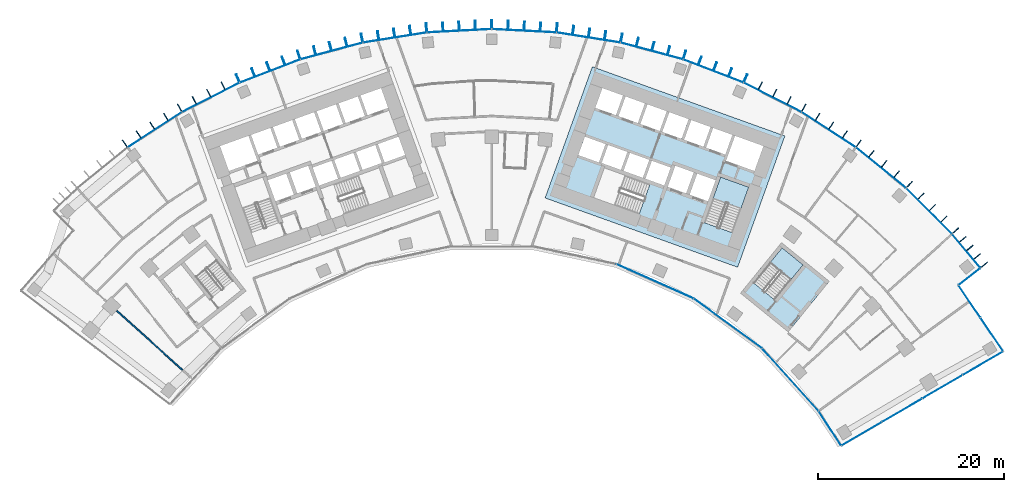
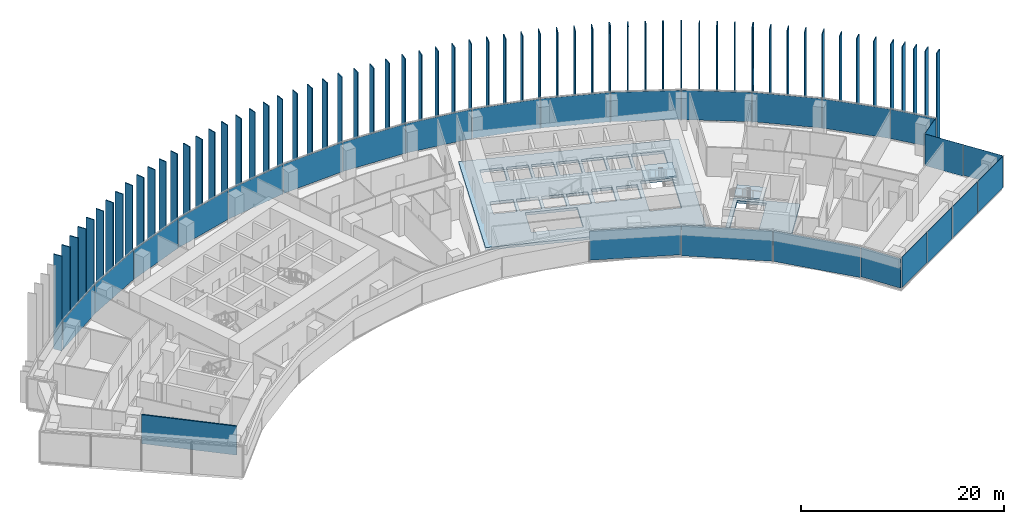
# One storey, part 15 of 23: 87 plates, 4 slabs, 1 wall, 7 elements without a shape of their own.
"""IFC4 building model written with IfcOpenShell, lengths in metres."""

from ifc_helpers import new_model, si_unit, direction, frame, frame_2d, origin, origin_2d, place, context, subcontext, project, spatial, polyline, rectangle, outline, extrude, material, layer, layer_set, type_object, element, aggregate, save


model = new_model("IFC4")

# Units and contexts
model_context = context("Model", 3, precision=1e-05, world=origin(), true_north=direction((0.0, 1.0)))
body_context = subcontext(model_context, "Body", "Model", "MODEL_VIEW")
ifc_project = project(units=[si_unit("LENGTHUNIT", "METRE"), si_unit("AREAUNIT", "SQUARE_METRE"), si_unit("VOLUMEUNIT", "CUBIC_METRE"), si_unit("PLANEANGLEUNIT", "RADIAN"), si_unit("MASSUNIT", "GRAM", prefix="KILO")], contexts=[model_context])

# Site, building, storey
site_placement = place(None, origin())
site = spatial("IfcSite", under=ifc_project, at=site_placement, CompositionType="ELEMENT")
building_placement = place(site_placement, origin())
building = spatial("IfcBuilding", under=site, at=building_placement, Name="Stone Belt Terrace Tower", CompositionType="ELEMENT")
storey_placement = place(building_placement, frame((0.0, 0.0, 98.39990234375)))
storey = spatial("IfcBuildingStorey", under=building, at=storey_placement, Name="L23", CompositionType="ELEMENT", Elevation=98.39990234375)

# Curtain wall, plates
ifc_material_1 = material(Name="Aluminium 6063-T6 anodised frame", Category="aluminium")
ifc_layer_1 = layer(ifc_material_1, 0.14990234375)
ifc_layer_set_1 = layer_set([ifc_layer_1], Name="CW-A unitised convex-face curtain wall")
curtain_wall_type_1 = type_object("IfcCurtainWallType", Name="CW-A unitised convex-face curtain wall", PredefinedType="NOTDEFINED", material=ifc_layer_set_1)
curtain_wall_1_placement = place(storey_placement, origin())
curtain_wall_1 = element("IfcCurtainWall", 1, at=curtain_wall_1_placement, inside=storey, type_object=curtain_wall_type_1, Name="CW-A convex face L23", PredefinedType="NOTDEFINED")
ifc_material_2 = material(Name="Clear double glazed unit")
ifc_layer_2 = layer(ifc_material_2, 0.031982421875)
ifc_layer_set_2 = layer_set([ifc_layer_2], Name="CW-A glass panel 32")
plate_type_1 = type_object("IfcPlateType", Name="CW-A glass panel 32", PredefinedType="CURTAIN_PANEL", material=ifc_layer_set_2)
plate_1_placement = place(storey_placement, frame((50.993896484375, 42.73583984375, 0.14013671875), z_axis=(0.0, 0.0, 1.0), x_axis=(-0.642509184121, 0.766277983711, 0.0)))
plate_1 = element("IfcPlate", 2, at=plate_1_placement, type_object=plate_type_1, Name="CW-A panel 1.1", PredefinedType="CURTAIN_PANEL", context=body_context, shape_type="SweptSolid", body=[
    extrude(rectangle(XDim=4.662841796875, YDim=0.031982421875, at=origin_2d()), origin(), (0.0, 0.0, 1.0), 3.52001953125),
])
plate_2_placement = place(storey_placement, frame((47.01123046875, 47.01123046875, 0.14013671875), z_axis=(0.0, 0.0, 1.0), x_axis=(-0.707106781187, 0.707106781187, 0.0)))
plate_2 = element("IfcPlate", 3, at=plate_2_placement, type_object=plate_type_1, Name="CW-A panel 2.1", PredefinedType="CURTAIN_PANEL", context=body_context, shape_type="SweptSolid", body=[
    extrude(rectangle(XDim=6.90087890625, YDim=0.031982421875, at=origin_2d()), origin(), (0.0, 0.0, 1.0), 3.52001953125),
])
plate_3_placement = place(storey_placement, frame((41.839599609375, 51.667724609375, 0.14013671875), z_axis=(0.0, 0.0, 1.0), x_axis=(-0.777145961457, 0.62932039105, 0.0)))
plate_3 = element("IfcPlate", 4, at=plate_3_placement, type_object=plate_type_1, Name="CW-A panel 3.1", PredefinedType="CURTAIN_PANEL", context=body_context, shape_type="SweptSolid", body=[
    extrude(rectangle(XDim=6.90087890625, YDim=0.031982421875, at=origin_2d()), origin(), (0.0, 0.0, 1.0), 3.52001953125),
])
plate_4_placement = place(storey_placement, frame((36.209716796875, 55.758056640625, 0.14013671875), z_axis=(0.0, 0.0, 1.0), x_axis=(-0.838670567945, 0.544639035015, 0.0)))
plate_4 = element("IfcPlate", 5, at=plate_4_placement, type_object=plate_type_1, Name="CW-A panel 4.1", PredefinedType="CURTAIN_PANEL", context=body_context, shape_type="SweptSolid", body=[
    extrude(rectangle(XDim=6.90087890625, YDim=0.031982421875, at=origin_2d()), origin(), (0.0, 0.0, 1.0), 3.52001953125),
])
plate_5_placement = place(storey_placement, frame((30.18310546875, 59.237548828125, 0.14013671875), z_axis=(0.0, 0.0, 1.0), x_axis=(-0.891006524188, 0.45399049974, 0.0)))
plate_5 = element("IfcPlate", 6, at=plate_5_placement, type_object=plate_type_1, Name="CW-A panel 5.1", PredefinedType="CURTAIN_PANEL", context=body_context, shape_type="SweptSolid", body=[
    extrude(rectangle(XDim=6.90087890625, YDim=0.031982421875, at=origin_2d()), origin(), (0.0, 0.0, 1.0), 3.52001953125),
])
plate_6_placement = place(storey_placement, frame((23.82568359375, 62.068115234375, 0.14013671875), z_axis=(0.0, 0.0, 1.0), x_axis=(-0.933580426497, 0.358367949545, 0.0)))
plate_6 = element("IfcPlate", 7, at=plate_6_placement, type_object=plate_type_1, Name="CW-A panel 6.1", PredefinedType="CURTAIN_PANEL", context=body_context, shape_type="SweptSolid", body=[
    extrude(rectangle(XDim=6.90087890625, YDim=0.031982421875, at=origin_2d()), origin(), (0.0, 0.0, 1.0), 3.52001953125),
])
plate_7_placement = place(storey_placement, frame((17.207275390625, 64.218505859375, 0.14013671875), z_axis=(0.0, 0.0, 1.0), x_axis=(-0.965925826289, 0.258819045103, 0.0)))
plate_7 = element("IfcPlate", 8, at=plate_7_placement, type_object=plate_type_1, Name="CW-A panel 7.1", PredefinedType="CURTAIN_PANEL", context=body_context, shape_type="SweptSolid", body=[
    extrude(rectangle(XDim=6.90087890625, YDim=0.031982421875, at=origin_2d()), origin(), (0.0, 0.0, 1.0), 3.52001953125),
])
plate_8_placement = place(storey_placement, frame((10.400390625, 65.665283203125, 0.14013671875), z_axis=(0.0, 0.0, 1.0), x_axis=(-0.987688340595, 0.15643446504, 0.0)))
plate_8 = element("IfcPlate", 9, at=plate_8_placement, type_object=plate_type_1, Name="CW-A panel 8.1", PredefinedType="CURTAIN_PANEL", context=body_context, shape_type="SweptSolid", body=[
    extrude(rectangle(XDim=6.90087890625, YDim=0.031982421875, at=origin_2d()), origin(), (0.0, 0.0, 1.0), 3.52001953125),
])
plate_9_placement = place(storey_placement, frame((3.4794921875, 66.392822265625, 0.14013671875), z_axis=(0.0, 0.0, 1.0), x_axis=(-0.998629534755, 0.052335956243, 0.0)))
plate_9 = element("IfcPlate", 10, at=plate_9_placement, type_object=plate_type_1, Name="CW-A panel 9.1", PredefinedType="CURTAIN_PANEL", context=body_context, shape_type="SweptSolid", body=[
    extrude(rectangle(XDim=6.90087890625, YDim=0.031982421875, at=origin_2d()), origin(), (0.0, 0.0, 1.0), 3.52001953125),
])
plate_10_placement = place(storey_placement, frame((-3.4794921875, 66.392822265625, 0.14013671875), z_axis=(0.0, 0.0, 1.0), x_axis=(-0.998629534755, -0.052335956243, 0.0)))
plate_10 = element("IfcPlate", 11, at=plate_10_placement, type_object=plate_type_1, Name="CW-A panel 10.1", PredefinedType="CURTAIN_PANEL", context=body_context, shape_type="SweptSolid", body=[
    extrude(rectangle(XDim=6.90087890625, YDim=0.031982421875, at=origin_2d()), origin(), (0.0, 0.0, 1.0), 3.52001953125),
])
plate_11_placement = place(storey_placement, frame((-10.400390625, 65.665283203125, 0.14013671875), z_axis=(0.0, 0.0, 1.0), x_axis=(-0.987688340595, -0.15643446504, 0.0)))
plate_11 = element("IfcPlate", 12, at=plate_11_placement, type_object=plate_type_1, Name="CW-A panel 11.1", PredefinedType="CURTAIN_PANEL", context=body_context, shape_type="SweptSolid", body=[
    extrude(rectangle(XDim=6.90087890625, YDim=0.031982421875, at=origin_2d()), origin(), (0.0, 0.0, 1.0), 3.52001953125),
])
plate_12_placement = place(storey_placement, frame((-17.207275390625, 64.218505859375, 0.14013671875), z_axis=(0.0, 0.0, 1.0), x_axis=(-0.965925826289, -0.258819045103, 0.0)))
plate_12 = element("IfcPlate", 13, at=plate_12_placement, type_object=plate_type_1, Name="CW-A panel 12.1", PredefinedType="CURTAIN_PANEL", context=body_context, shape_type="SweptSolid", body=[
    extrude(rectangle(XDim=6.90087890625, YDim=0.031982421875, at=origin_2d()), origin(), (0.0, 0.0, 1.0), 3.52001953125),
])
plate_13_placement = place(storey_placement, frame((-23.82568359375, 62.068115234375, 0.14013671875), z_axis=(0.0, 0.0, 1.0), x_axis=(-0.933580426497, -0.358367949545, 0.0)))
plate_13 = element("IfcPlate", 14, at=plate_13_placement, type_object=plate_type_1, Name="CW-A panel 13.1", PredefinedType="CURTAIN_PANEL", context=body_context, shape_type="SweptSolid", body=[
    extrude(rectangle(XDim=6.90087890625, YDim=0.031982421875, at=origin_2d()), origin(), (0.0, 0.0, 1.0), 3.52001953125),
])
plate_14_placement = place(storey_placement, frame((-30.18310546875, 59.237548828125, 0.14013671875), z_axis=(0.0, 0.0, 1.0), x_axis=(-0.891006524188, -0.45399049974, 0.0)))
plate_14 = element("IfcPlate", 15, at=plate_14_placement, type_object=plate_type_1, Name="CW-A panel 14.1", PredefinedType="CURTAIN_PANEL", context=body_context, shape_type="SweptSolid", body=[
    extrude(rectangle(XDim=6.90087890625, YDim=0.031982421875, at=origin_2d()), origin(), (0.0, 0.0, 1.0), 3.52001953125),
])
plate_15_placement = place(storey_placement, frame((-36.209716796875, 55.758056640625, 0.14013671875), z_axis=(0.0, 0.0, 1.0), x_axis=(-0.838670567945, -0.544639035015, 0.0)))
plate_15 = element("IfcPlate", 16, at=plate_15_placement, type_object=plate_type_1, Name="CW-A panel 15.1", PredefinedType="CURTAIN_PANEL", context=body_context, shape_type="SweptSolid", body=[
    extrude(rectangle(XDim=6.90087890625, YDim=0.031982421875, at=origin_2d()), origin(), (0.0, 0.0, 1.0), 3.52001953125),
])
aggregate(curtain_wall_1, [plate_1, plate_2, plate_3, plate_4, plate_5, plate_6, plate_7, plate_8, plate_9, plate_10, plate_11, plate_12, plate_13, plate_14, plate_15])

ifc_layer_3 = layer(ifc_material_1, 0.14990234375)
ifc_layer_set_3 = layer_set([ifc_layer_3], Name="CW-B unitised concave-face curtain wall")
curtain_wall_type_2 = type_object("IfcCurtainWallType", Name="CW-B unitised concave-face curtain wall", PredefinedType="NOTDEFINED", material=ifc_layer_set_3)
curtain_wall_2_placement = place(storey_placement, origin())
curtain_wall_2 = element("IfcCurtainWall", 17, at=curtain_wall_2_placement, inside=storey, type_object=curtain_wall_type_2, Name="CW-B concave face L23", PredefinedType="NOTDEFINED")
ifc_layer_4 = layer(ifc_material_2, 0.030029296875)
ifc_layer_set_4 = layer_set([ifc_layer_4], Name="CW-B glass panel 30")
plate_type_2 = type_object("IfcPlateType", Name="CW-B glass panel 30", PredefinedType="CURTAIN_PANEL", material=ifc_layer_set_4)
plate_16_placement = place(storey_placement, frame((17.565673828125, 39.453125, 0.1201171875), z_axis=(0.0, 0.0, 1.0), x_axis=(0.913545457643, -0.406736643076, 0.0)))
plate_16 = element("IfcPlate", 18, at=plate_16_placement, type_object=plate_type_2, Name="CW-B panel 7.1", PredefinedType="CURTAIN_PANEL", context=body_context, shape_type="SweptSolid", body=[
    extrude(rectangle(XDim=9.0126953125, YDim=0.030029296875, at=origin_2d()), origin(), (0.0, 0.0, 1.0), 3.56005859375),
])
plate_17_placement = place(storey_placement, frame((25.384521484375, 34.938720703125, 0.0), z_axis=(0.0, 0.0, 1.0), x_axis=(0.809016994375, -0.587785252292, 0.0)))
plate_17 = element("IfcPlate", 19, at=plate_17_placement, type_object=plate_type_2, Name="CW-B panel 8.1", PredefinedType="CURTAIN_PANEL", context=body_context, shape_type="SweptSolid", body=[
    extrude(rectangle(XDim=9.0126953125, YDim=0.030029296875, at=origin_2d()), origin(), (0.0, 0.0, 1.0), 3.679931640625),
])
plate_18_placement = place(storey_placement, frame((32.09521484375, 28.89599609375, 0.0), z_axis=(0.0, 0.0, 1.0), x_axis=(0.669130606359, -0.743144825477, 0.0)))
plate_18 = element("IfcPlate", 20, at=plate_18_placement, type_object=plate_type_2, Name="CW-B panel 9.1", PredefinedType="CURTAIN_PANEL", context=body_context, shape_type="SweptSolid", body=[
    extrude(rectangle(XDim=9.016845703125, YDim=0.030029296875, at=origin_2d()), origin(), (0.0, 0.0, 1.0), 3.679931640625),
])
plate_19_placement = place(storey_placement, frame((36.3408203125, 23.66943359375, 0.1201171875), z_axis=(0.0, 0.0, 1.0), x_axis=(0.546131502436, -0.837699458068, 0.0)))
plate_19 = element("IfcPlate", 21, at=plate_19_placement, type_object=plate_type_2, Name="CW-B panel 10.1", PredefinedType="CURTAIN_PANEL", context=body_context, shape_type="SweptSolid", body=[
    extrude(rectangle(XDim=4.363525390625, YDim=0.030029296875, at=origin_2d()), origin(), (0.0, 0.0, 1.0), 3.56005859375),
])
aggregate(curtain_wall_2, [plate_16, plate_17, plate_18, plate_19])

ifc_layer_5 = layer(ifc_material_1, 0.14990234375)
ifc_layer_set_5 = layer_set([ifc_layer_5], Name="CW-C stick curtain wall, horn ends and notches")
curtain_wall_type_3 = type_object("IfcCurtainWallType", Name="CW-C stick curtain wall, horn ends and notches", PredefinedType="NOTDEFINED", material=ifc_layer_set_5)
curtain_wall_3_placement = place(storey_placement, origin())
curtain_wall_3 = element("IfcCurtainWall", 22, at=curtain_wall_3_placement, inside=storey, type_object=curtain_wall_type_3, Name="CW-C end face L23", PredefinedType="NOTDEFINED")
ifc_layer_6 = layer(ifc_material_2, 0.028076171875)
ifc_layer_set_6 = layer_set([ifc_layer_6], Name="CW-C glass panel 28")
plate_type_3 = type_object("IfcPlateType", Name="CW-C glass panel 28", PredefinedType="CURTAIN_PANEL", material=ifc_layer_set_6)
plate_20_placement = place(storey_placement, frame((39.78076171875, 23.06982421875, 0.1201171875), z_axis=(0.0, 0.0, 1.0), x_axis=(0.864239322284, 0.503080901861, 0.0)))
plate_20 = element("IfcPlate", 23, at=plate_20_placement, type_object=plate_type_3, Name="CW-C panel 1.1", PredefinedType="CURTAIN_PANEL", context=body_context, shape_type="SweptSolid", body=[
    extrude(rectangle(XDim=4.9677734375, YDim=0.028076171875, at=origin_2d()), origin(), (0.0, 0.0, 1.0), 3.679931640625),
])
plate_21_placement = place(storey_placement, frame((44.114013671875, 25.59228515625, 0.0), z_axis=(0.0, 0.0, 1.0), x_axis=(0.864239322284, 0.503080901861, 0.0)))
plate_21 = element("IfcPlate", 24, at=plate_21_placement, type_object=plate_type_3, Name="CW-C panel 2.1", PredefinedType="CURTAIN_PANEL", context=body_context, shape_type="SweptSolid", body=[
    extrude(rectangle(XDim=4.93994140625, YDim=0.028076171875, at=origin_2d()), origin(), (0.0, 0.0, 1.0), 3.800048828125),
])
plate_22_placement = place(storey_placement, frame((48.43505859375, 28.107666015625, 0.0), z_axis=(0.0, 0.0, 1.0), x_axis=(0.864239322284, 0.503080901861, 0.0)))
plate_22 = element("IfcPlate", 25, at=plate_22_placement, type_object=plate_type_3, Name="CW-C panel 3.1", PredefinedType="CURTAIN_PANEL", context=body_context, shape_type="SweptSolid", body=[
    extrude(rectangle(XDim=4.93994140625, YDim=0.028076171875, at=origin_2d()), origin(), (0.0, 0.0, 1.0), 3.800048828125),
])
plate_23_placement = place(storey_placement, frame((52.771484375, 30.6318359375, 0.0), z_axis=(0.0, 0.0, 1.0), x_axis=(0.864239322284, 0.503080901861, 0.0)))
plate_23 = element("IfcPlate", 26, at=plate_23_placement, type_object=plate_type_3, Name="CW-C panel 4.1", PredefinedType="CURTAIN_PANEL", context=body_context, shape_type="SweptSolid", body=[
    extrude(rectangle(XDim=4.974853515625, YDim=0.028076171875, at=origin_2d()), origin(), (0.0, 0.0, 1.0), 3.800048828125),
])
aggregate(curtain_wall_3, [plate_20, plate_21, plate_22, plate_23])

curtain_wall_4_placement = place(storey_placement, origin())
curtain_wall_4 = element("IfcCurtainWall", 27, at=curtain_wall_4_placement, inside=storey, type_object=curtain_wall_type_3, Name="CW-C notch face L23", PredefinedType="NOTDEFINED")
plate_24_placement = place(storey_placement, frame((53.748046875, 33.751220703125, 0.1201171875), z_axis=(0.0, 0.0, 1.0), x_axis=(-0.560367245622, 0.828244257471, 0.0)))
plate_24 = element("IfcPlate", 28, at=plate_24_placement, type_object=plate_type_3, Name="CW-C panel 1.1", PredefinedType="CURTAIN_PANEL", context=body_context, shape_type="SweptSolid", body=[
    extrude(rectangle(XDim=4.268798828125, YDim=0.028076171875, at=origin_2d()), origin(), (0.0, 0.0, 1.0), 3.679931640625),
])
plate_25_placement = place(storey_placement, frame((51.364013671875, 37.275146484375, 0.0), z_axis=(0.0, 0.0, 1.0), x_axis=(-0.560367245622, 0.828244257471, 0.0)))
plate_25 = element("IfcPlate", 29, at=plate_25_placement, type_object=plate_type_3, Name="CW-C panel 2.1", PredefinedType="CURTAIN_PANEL", context=body_context, shape_type="SweptSolid", body=[
    extrude(rectangle(XDim=4.12060546875, YDim=0.028076171875, at=origin_2d()), origin(), (0.0, 0.0, 1.0), 3.800048828125),
])
aggregate(curtain_wall_4, [plate_24, plate_25])

# Curtain wall, plate
curtain_wall_5_placement = place(storey_placement, origin())
curtain_wall_5 = element("IfcCurtainWall", 30, at=curtain_wall_5_placement, inside=storey, type_object=curtain_wall_type_3, Name="CW-C notch face L23", PredefinedType="NOTDEFINED")
plate_26_placement = place(storey_placement, frame((51.353515625, 39.966552734375, 0.1201171875), z_axis=(0.0, 0.0, 1.0), x_axis=(0.788458012337, 0.615088581248, 0.0)))
plate_26 = element("IfcPlate", 31, at=plate_26_placement, type_object=plate_type_3, Name="CW-C panel 1.1", PredefinedType="CURTAIN_PANEL", context=body_context, shape_type="SweptSolid", body=[
    extrude(rectangle(XDim=2.859619140625, YDim=0.028076171875, at=origin_2d()), origin(), (0.0, 0.0, 1.0), 3.679931640625),
])
aggregate(curtain_wall_5, [plate_26])

# Slabs
ifc_material_3 = material(Name="Concrete B40", Category="concrete")
ifc_layer_7 = layer(ifc_material_3, 0.320068359375)
ifc_layer_set_7 = layer_set([ifc_layer_7], Name="Core floor slab 320")
slab_type_1 = type_object("IfcSlabType", Name="Core floor slab 320", PredefinedType="FLOOR", material=ifc_layer_set_7)
slab_1_placement = place(storey_placement, frame((0.0, 0.0, -0.31982421875)))
element("IfcSlab", 32, at=slab_1_placement, inside=storey, type_object=slab_type_1, Name="Core B floor L23", PredefinedType="FLOOR", context=body_context, shape_type="SweptSolid", body=[
    extrude(outline(polyline([(26.43505859375, 40.968994140625), (31.513916015625, 55.0830078125), (10.81396484375, 62.531982421875), (5.735107421875, 48.4189453125), (26.43505859375, 40.968994140625)]), holes=[polyline([(12.10595703125, 51.652099609375), (16.998046875, 49.89208984375), (15.846923828125, 46.69189453125), (10.955078125, 48.452880859375), (12.10595703125, 51.652099609375)]), polyline([(19.239990234375, 51.68896484375), (18.5458984375, 49.760009765625), (16.52294921875, 50.488037109375), (17.217041015625, 52.4169921875), (19.239990234375, 51.68896484375)]), polyline([(16.239990234375, 50.589111328125), (14.169921875, 51.333984375), (14.864013671875, 53.262939453125), (16.93408203125, 52.51806640625), (16.239990234375, 50.589111328125)]), polyline([(14.58203125, 53.364990234375), (13.887939453125, 51.43603515625), (11.864990234375, 52.1640625), (11.847900390625, 52.116943359375), (11.801025390625, 52.134033203125), (12.511962890625, 54.110107421875), (14.58203125, 53.364990234375)]), polyline([(9.30810546875, 53.031005859375), (10.01904296875, 55.007080078125), (12.22998046875, 54.2109375), (11.51904296875, 52.235107421875), (9.30810546875, 53.031005859375)]), polyline([(16.743896484375, 58.485107421875), (18.81396484375, 57.739990234375), (18.052001953125, 55.623046875), (15.98193359375, 56.367919921875), (16.743896484375, 58.485107421875)]), polyline([(14.39111328125, 59.33203125), (16.4609375, 58.5869140625), (15.699951171875, 56.469970703125), (13.6298828125, 57.215087890625), (14.39111328125, 59.33203125)]), polyline([(11.89794921875, 60.22900390625), (14.10888671875, 59.43408203125), (13.346923828125, 57.31591796875), (11.135986328125, 58.112060546875), (11.89794921875, 60.22900390625)]), polyline([(25.85888671875, 44.68408203125), (22.847900390625, 45.76806640625), (24.60791015625, 50.659912109375), (27.618896484375, 49.575927734375), (25.85888671875, 44.68408203125)]), polyline([(21.27392578125, 48.778076171875), (22.0869140625, 51.035888671875), (24.06298828125, 50.324951171875), (23.25, 48.06689453125), (21.27392578125, 48.778076171875)]), polyline([(18.922119140625, 49.6240234375), (19.735107421875, 51.883056640625), (21.7109375, 51.1708984375), (20.89794921875, 48.9130859375), (18.922119140625, 49.6240234375)]), polyline([(29.2109375, 53.9990234375), (28.24609375, 51.31689453125), (25.18798828125, 52.41796875), (26.153076171875, 55.09912109375), (29.2109375, 53.9990234375)]), polyline([(23.801025390625, 55.946044921875), (25.87109375, 55.200927734375), (25.10888671875, 53.083984375), (23.0390625, 53.8291015625), (23.801025390625, 55.946044921875)]), polyline([(21.447998046875, 56.7919921875), (23.51806640625, 56.047119140625), (22.756103515625, 53.929931640625), (20.68603515625, 54.675048828125), (21.447998046875, 56.7919921875)]), polyline([(19.095947265625, 57.638916015625), (21.166015625, 56.89404296875), (20.404052734375, 54.777099609375), (18.333984375, 55.52197265625), (19.095947265625, 57.638916015625)])]), origin(), (0.0, 0.0, 1.0), 0.31982421875),
])
slab_2_placement = place(storey_placement, frame((0.0, 0.0, -0.31982421875)))
element("IfcSlab", 33, at=slab_2_placement, inside=storey, type_object=slab_type_1, Name="Exit stair ST3B floor L23", PredefinedType="FLOOR", context=body_context, shape_type="SweptSolid", body=[
    extrude(outline(polyline([(26.741943359375, 38.18408203125), (31.866943359375, 34.02392578125), (36.278076171875, 39.458984375), (31.154052734375, 43.618896484375), (26.741943359375, 38.18408203125)]), holes=[polyline([(30.407958984375, 37.462890625), (28.156005859375, 39.291015625), (31.2119140625, 43.055908203125), (33.464111328125, 41.22802734375), (30.407958984375, 37.462890625)])]), origin(), (0.0, 0.0, 1.0), 0.31982421875),
])

# Stair, slab
stair_type = type_object("IfcStairType", Name="Exit stair 1500", PredefinedType="HALF_TURN_STAIR", material=ifc_material_3)
stair_1_placement = place(storey_placement, origin())
stair_1 = element("IfcStair", 34, at=stair_1_placement, inside=storey, type_object=stair_type, Name="L23 Exit stair 1 core B", PredefinedType="HALF_TURN_STAIR")
ifc_layer_8 = layer(ifc_material_3, 0.199951171875)
ifc_layer_set_8 = layer_set([ifc_layer_8], Name="Stair landing 200")
slab_type_2 = type_object("IfcSlabType", Name="Stair landing 200", PredefinedType="LANDING", material=ifc_layer_set_8)
slab_3_placement = place(storey_placement, frame((0.0, 0.0, 1.7001953125)))
slab_3 = element("IfcSlab", 35, at=slab_3_placement, type_object=slab_type_2, Name="ST1B landing 1", PredefinedType="LANDING", context=body_context, shape_type="SweptSolid", body=[
    extrude(outline(polyline([(26.806396484375, 47.3173828125), (27.619384765625, 49.576171875), (24.6083984375, 50.659912109375), (23.79541015625, 48.40087890625), (26.806396484375, 47.3173828125)])), origin(), (0.0, 0.0, 1.0), 0.199951171875),
])
aggregate(stair_1, [slab_3])

stair_2_placement = place(storey_placement, origin())
stair_2 = element("IfcStair", 36, at=stair_2_placement, inside=storey, type_object=stair_type, Name="L23 Exit stair 3B", PredefinedType="HALF_TURN_STAIR")
slab_4_placement = place(storey_placement, frame((0.0, 0.0, 1.7001953125)))
slab_4 = element("IfcSlab", 37, at=slab_4_placement, type_object=slab_type_2, Name="ST3B landing 1", PredefinedType="LANDING", context=body_context, shape_type="SweptSolid", body=[
    extrude(outline(polyline([(32.17138671875, 39.635986328125), (33.4638671875, 41.228271484375), (31.21240234375, 43.055908203125), (29.919921875, 41.463623046875), (32.17138671875, 39.635986328125)])), origin(), (0.0, 0.0, 1.0), 0.199951171875),
])
aggregate(stair_2, [slab_4])

# Plates
ifc_material_4 = material(Name="Terracotta coloured glazed ceramic", Category="masonry")
ifc_layer_9 = layer(ifc_material_4, 0.10009765625)
ifc_layer_set_9 = layer_set([ifc_layer_9], Name="Terracotta fin 100 x 900")
plate_type_4 = type_object("IfcPlateType", Name="Terracotta fin 100 x 900", PredefinedType="SHEET", material=ifc_layer_set_9)
for number, where, z_axis, x_axis, name in (
    (38, (52.942138671875, 41.229248046875, 0.000244140625), (0.0, 0.0, 1.0), (0.766277983711, 0.642509184121, 0.0), "FIN L23 1.1"),
    (39, (52.17578125, 42.143310546875, 0.000244140625), (0.0, 0.0, 1.0), (0.766277983711, 0.642509184121, 0.0), "FIN L23 1.2"),
    (40, (51.409423828125, 43.057373046875, 0.000244140625), (0.0, 0.0, 1.0), (0.766277983711, 0.642509184121, 0.0), "FIN L23 1.3"),
    (41, (50.64306640625, 43.97119140625, 0.000244140625), (0.0, 0.0, 1.0), (0.766277983711, 0.642509184121, 0.0), "FIN L23 1.4"),
    (42, (49.861572265625, 44.902587890625, 0.000244140625), (0.0, 0.0, 1.0), (0.737400080522, 0.675456231925, 0.0), "FIN L23 2.1"),
    (43, (48.614013671875, 46.15087890625, 0.000244140625), (0.0, 0.0, 1.0), (0.707106781187, 0.707106781187, 0.0), "FIN L23 2.2"),
    (44, (47.382080078125, 47.382568359375, 0.000244140625), (0.0, 0.0, 1.0), (0.707106781187, 0.707106781187, 0.0), "FIN L23 2.3"),
    (45, (46.150390625, 48.614501953125, 0.000244140625), (0.0, 0.0, 1.0), (0.707106781187, 0.707106781187, 0.0), "FIN L23 2.4"),
    (46, (44.898681640625, 49.864990234375, 0.000244140625), (0.0, 0.0, 1.0), (0.669130606359, 0.743144825477, 0.0), "FIN L23 3.1"),
    (47, (43.52392578125, 50.979248046875, 0.000244140625), (0.0, 0.0, 1.0), (0.62932039105, 0.777145961457, 0.0), "FIN L23 3.2"),
    (48, (42.170166015625, 52.07568359375, 0.000244140625), (0.0, 0.0, 1.0), (0.62932039105, 0.777145961457, 0.0), "FIN L23 3.3"),
    (49, (40.816162109375, 53.172119140625, 0.000244140625), (0.0, 0.0, 1.0), (0.62932039105, 0.777145961457, 0.0), "FIN L23 3.4"),
    (50, (39.4404296875, 54.28515625, 0.000244140625), (0.0, 0.0, 1.0), (0.587785252292, 0.809016994375, 0.0), "FIN L23 4.1"),
    (51, (37.956787109375, 55.24951171875, 0.000244140625), (0.0, 0.0, 1.0), (0.544639035015, 0.838670567945, 0.0), "FIN L23 4.2"),
    (52, (36.49560546875, 56.1982421875, 0.000244140625), (0.0, 0.0, 1.0), (0.544639035015, 0.838670567945, 0.0), "FIN L23 4.3"),
    (53, (35.03466796875, 57.147216796875, 0.000244140625), (0.0, 0.0, 1.0), (0.544639035015, 0.838670567945, 0.0), "FIN L23 4.4"),
    (54, (33.550048828125, 58.1103515625, 0.000244140625), (0.0, 0.0, 1.0), (0.5, 0.866025403784, 0.0), "FIN L23 5.1"),
    (55, (31.9736328125, 58.914306640625, 0.000244140625), (0.0, 0.0, 1.0), (0.45399049974, 0.891006524188, 0.0), "FIN L23 5.2"),
    (56, (30.42138671875, 59.705322265625, 0.000244140625), (0.0, 0.0, 1.0), (0.45399049974, 0.891006524188, 0.0), "FIN L23 5.3"),
    (57, (28.869140625, 60.496337890625, 0.000244140625), (0.0, 0.0, 1.0), (0.45399049974, 0.891006524188, 0.0), "FIN L23 5.4"),
    (58, (27.2919921875, 61.299072265625, 0.000244140625), (0.0, 0.0, 1.0), (0.406736643076, 0.913545457643, 0.0), "FIN L23 6.1"),
    (59, (25.64013671875, 61.933837890625, 0.000244140625), (0.0, 0.0, 1.0), (0.358367949545, 0.933580426497, 0.0), "FIN L23 6.2"),
    (60, (24.013916015625, 62.55810546875, 0.000244140625), (0.0, 0.0, 1.0), (0.358367949545, 0.933580426497, 0.0), "FIN L23 6.3"),
    (61, (22.387451171875, 63.182373046875, 0.000244140625), (0.0, 0.0, 1.0), (0.358367949545, 0.933580426497, 0.0), "FIN L23 6.4"),
    (62, (20.735107421875, 63.81591796875, 0.000244140625), (0.0, 0.0, 1.0), (0.309016994375, 0.951056516295, 0.0), "FIN L23 7.1"),
    (63, (19.02587890625, 64.274658203125, 0.000244140625), (0.0, 0.0, 1.0), (0.258819045103, 0.965925826289, 0.0), "FIN L23 7.2"),
    (64, (17.34326171875, 64.7255859375, 0.000244140625), (0.0, 0.0, 1.0), (0.258819045103, 0.965925826289, 0.0), "FIN L23 7.3"),
    (65, (15.660400390625, 65.176513671875, 0.000244140625), (0.0, 0.0, 1.0), (0.258819045103, 0.965925826289, 0.0), "FIN L23 7.4"),
    (66, (13.950927734375, 65.6337890625, 0.000244140625), (0.0, 0.0, 1.0), (0.207911690818, 0.978147600734, 0.0), "FIN L23 8.1"),
    (67, (12.203125, 65.911376953125, 0.000244140625), (0.0, 0.0, 1.0), (0.15643446504, 0.987688340595, 0.0), "FIN L23 8.2"),
    (68, (10.482421875, 66.183837890625, 0.000244140625), (0.0, 0.0, 1.0), (0.15643446504, 0.987688340595, 0.0), "FIN L23 8.3"),
    (69, (8.76171875, 66.456298828125, 0.000244140625), (0.0, 0.0, 1.0), (0.15643446504, 0.987688340595, 0.0), "FIN L23 8.4"),
    (70, (7.013916015625, 66.732421875, 0.000244140625), (0.0, 0.0, 1.0), (0.104528463268, 0.994521895368, 0.0), "FIN L23 9.1"),
    (71, (5.246826171875, 66.825927734375, 0.000244140625), (0.0, 0.0, 1.0), (0.052335956243, 0.998629534755, 0.0), "FIN L23 9.2"),
    (72, (3.507080078125, 66.9169921875, 0.000244140625), (0.0, 0.0, 1.0), (0.052335956243, 0.998629534755, 0.0), "FIN L23 9.3"),
    (73, (1.767333984375, 67.00830078125, 0.000244140625), (0.0, 0.0, 1.0), (0.052335956243, 0.998629534755, 0.0), "FIN L23 9.4"),
    (74, (0.0, 67.10009765625, 0.000244140625), (0.0, 0.0, 1.0), (0.0, 1.0, 0.0), "FIN L23 10.1"),
    (75, (-1.767333984375, 67.00830078125, 0.000244140625), (0.0, 0.0, 1.0), (-0.052335956243, 0.998629534755, 0.0), "FIN L23 10.2"),
    (76, (-3.507080078125, 66.9169921875, 0.000244140625), (0.0, 0.0, 1.0), (-0.052335956243, 0.998629534755, 0.0), "FIN L23 10.3"),
    (77, (-5.246826171875, 66.825927734375, 0.000244140625), (0.0, 0.0, 1.0), (-0.052335956243, 0.998629534755, 0.0), "FIN L23 10.4"),
    (78, (-7.013916015625, 66.732421875, 0.000244140625), (0.0, 0.0, 1.0), (-0.104528463268, 0.994521895368, 0.0), "FIN L23 11.1"),
    (79, (-8.76171875, 66.456298828125, 0.000244140625), (0.0, 0.0, 1.0), (-0.15643446504, 0.987688340595, 0.0), "FIN L23 11.2"),
    (80, (-10.482421875, 66.183837890625, 0.000244140625), (0.0, 0.0, 1.0), (-0.15643446504, 0.987688340595, 0.0), "FIN L23 11.3"),
    (81, (-12.203125, 65.911376953125, 0.000244140625), (0.0, 0.0, 1.0), (-0.15643446504, 0.987688340595, 0.0), "FIN L23 11.4"),
    (82, (-13.950927734375, 65.6337890625, 0.000244140625), (0.0, 0.0, 1.0), (-0.207911690818, 0.978147600734, 0.0), "FIN L23 12.1"),
    (83, (-15.660400390625, 65.176513671875, 0.000244140625), (0.0, 0.0, 1.0), (-0.258819045103, 0.965925826289, 0.0), "FIN L23 12.2"),
    (84, (-17.34326171875, 64.7255859375, 0.000244140625), (0.0, 0.0, 1.0), (-0.258819045103, 0.965925826289, 0.0), "FIN L23 12.3"),
    (85, (-19.02587890625, 64.274658203125, 0.000244140625), (0.0, 0.0, 1.0), (-0.258819045103, 0.965925826289, 0.0), "FIN L23 12.4"),
    (86, (-20.735107421875, 63.81591796875, 0.000244140625), (0.0, 0.0, 1.0), (-0.309016994375, 0.951056516295, 0.0), "FIN L23 13.1"),
    (87, (-22.387451171875, 63.182373046875, 0.000244140625), (0.0, 0.0, 1.0), (-0.358367949545, 0.933580426497, 0.0), "FIN L23 13.2"),
    (88, (-24.013916015625, 62.55810546875, 0.000244140625), (0.0, 0.0, 1.0), (-0.358367949545, 0.933580426497, 0.0), "FIN L23 13.3"),
    (89, (-25.64013671875, 61.933837890625, 0.000244140625), (0.0, 0.0, 1.0), (-0.358367949545, 0.933580426497, 0.0), "FIN L23 13.4"),
    (90, (-27.2919921875, 61.299072265625, 0.000244140625), (0.0, 0.0, 1.0), (-0.406736643076, 0.913545457643, 0.0), "FIN L23 14.1"),
    (91, (-28.869140625, 60.496337890625, 0.000244140625), (0.0, 0.0, 1.0), (-0.45399049974, 0.891006524188, 0.0), "FIN L23 14.2"),
    (92, (-30.42138671875, 59.705322265625, 0.000244140625), (0.0, 0.0, 1.0), (-0.45399049974, 0.891006524188, 0.0), "FIN L23 14.3"),
    (93, (-31.9736328125, 58.914306640625, 0.000244140625), (0.0, 0.0, 1.0), (-0.45399049974, 0.891006524188, 0.0), "FIN L23 14.4"),
    (94, (-33.550048828125, 58.1103515625, 0.000244140625), (0.0, 0.0, 1.0), (-0.5, 0.866025403784, 0.0), "FIN L23 15.1"),
    (95, (-35.03466796875, 57.147216796875, 0.000244140625), (0.0, 0.0, 1.0), (-0.544639035015, 0.838670567945, 0.0), "FIN L23 15.2"),
    (96, (-36.49560546875, 56.1982421875, 0.000244140625), (0.0, 0.0, 1.0), (-0.544639035015, 0.838670567945, 0.0), "FIN L23 15.3"),
    (97, (-37.956787109375, 55.24951171875, 0.000244140625), (0.0, 0.0, 1.0), (-0.544639035015, 0.838670567945, 0.0), "FIN L23 15.4"),
    (98, (-39.4404296875, 54.28515625, 0.000244140625), (0.0, 0.0, 1.0), (-0.587785252292, 0.809016994375, 0.0), "FIN L23 16.1"),
):
    element("IfcPlate", number, at=place(storey_placement, frame(where, z_axis=z_axis, x_axis=x_axis)), inside=storey, type_object=plate_type_4, Name=name, PredefinedType="SHEET", context=body_context, shape_type="SweptSolid", body=[
        extrude(rectangle(XDim=0.89990234375, YDim=0.10009765625, at=origin_2d()), origin(), (0.0, 0.0, 1.0), 11.39990234375),
    ])

# Wall
ifc_material_5 = material(Name="Gypsum board partition")
ifc_layer_10 = layer(ifc_material_5, 0.14990234375)
ifc_layer_set_10 = layer_set([ifc_layer_10], Name="PARTITION 150 EI 60")
wall_type = type_object("IfcWallType", Name="PARTITION 150 EI 60", PredefinedType="PARTITIONING", material=ifc_layer_set_10)
wall_placement = place(storey_placement, frame((-40.3115234375, 36.29736328125, 0.0), z_axis=(0.0, 0.0, 1.0), x_axis=(0.743157118954, -0.669116952818, 0.0)))
element("IfcWall", 99, at=wall_placement, inside=storey, type_object=wall_type, Name="L23/wall/i028-1", PredefinedType="PARTITIONING", context=body_context, shape_type="SweptSolid", body=[
    extrude(rectangle(XDim=9.569091796875, YDim=0.14990234375, at=frame_2d((4.78466796875, 0.0))), origin(), (0.0, 0.0, 1.0), 3.47998046875),
])

save(model, "model.ifc")
